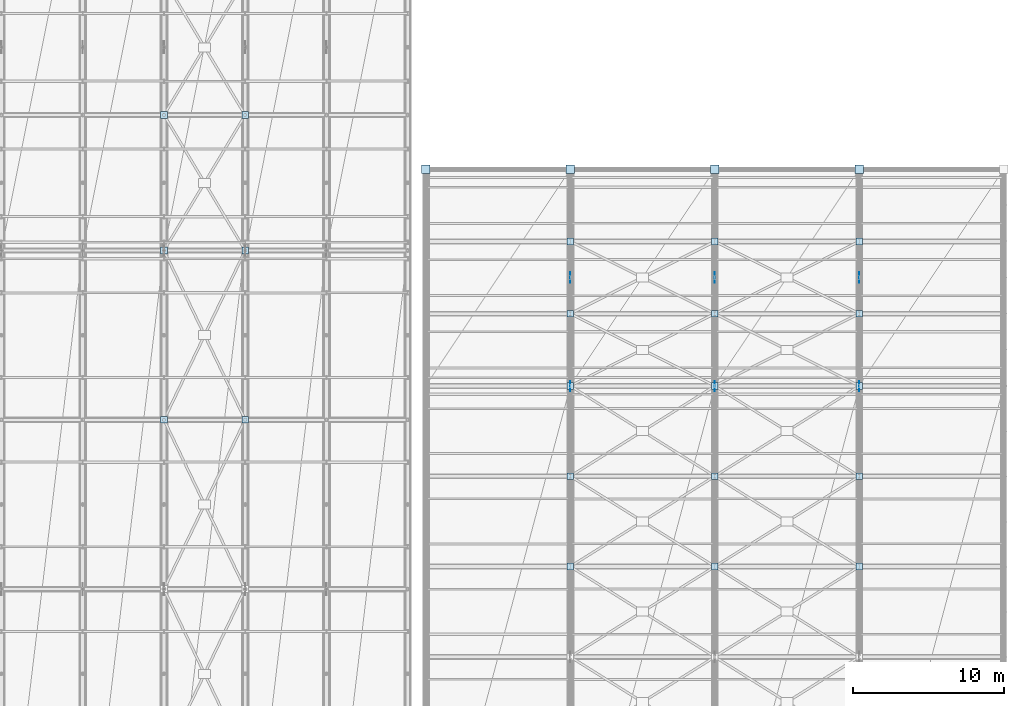
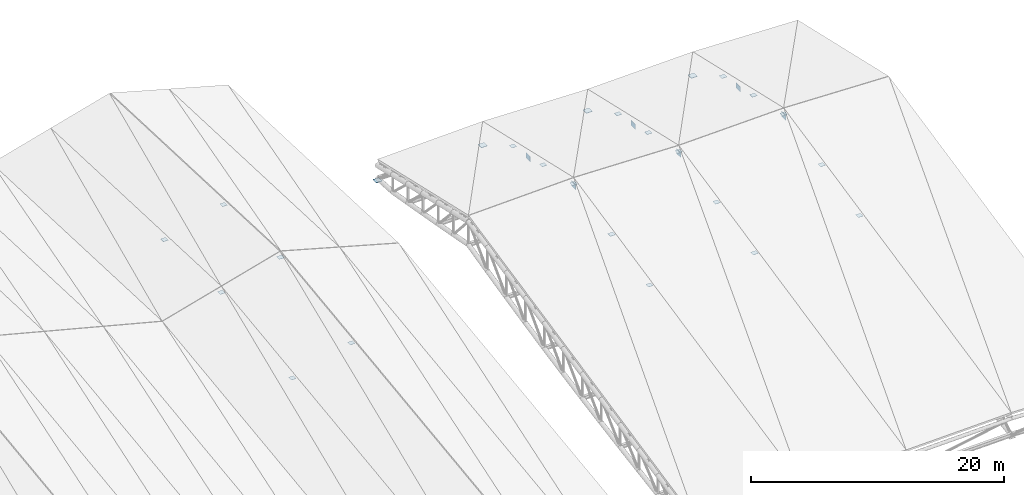
# One storey, part 107 of 109: 31 plates.
"""IFC4 building model written with IfcOpenShell, lengths in metres."""

from ifc_helpers import new_model, si_unit, direction, frame, origin, origin_2d, place, context, subcontext, project, spatial, rectangle, extrude, material, layer, layer_set, type_object, element, save


model = new_model("IFC4")

# Units and contexts
model_context = context("Model", 3, precision=1e-05, world=origin(), true_north=direction((0.0, 1.0)))
body_context = subcontext(model_context, "Body", "Model", "MODEL_VIEW")
ifc_project = project(units=[si_unit("LENGTHUNIT", "METRE"), si_unit("AREAUNIT", "SQUARE_METRE"), si_unit("VOLUMEUNIT", "CUBIC_METRE"), si_unit("PLANEANGLEUNIT", "RADIAN"), si_unit("MASSUNIT", "GRAM", prefix="KILO")], contexts=[model_context])

# Site, building, storey
site_placement = place(None, origin())
site = spatial("IfcSite", under=ifc_project, at=site_placement, CompositionType="ELEMENT")
building_placement = place(site_placement, origin())
building = spatial("IfcBuilding", under=site, at=building_placement, Name="Suirenkawa Promenade Aquatics Centre", CompositionType="ELEMENT")
storey_placement = place(building_placement, frame((0.0, 0.0, 22.800048828125)))
storey = spatial("IfcBuildingStorey", under=building, at=storey_placement, Name="ROOF", CompositionType="ELEMENT", Elevation=22.800048828125)

# Plates
ifc_material = material(Name="Steel IS 2062 E350 (Grade 350)", Category="steel")
ifc_layer_1 = layer(ifc_material, 0.028076171875, Name="Steel IS 2062 E350 (Grade 350)", Category="steel")
ifc_layer_set_1 = layer_set([ifc_layer_1], Name="Steel IS 2062 E350 (Grade 350)")
plate_type_1 = type_object("IfcPlateType", Name="PLT-BEAR-550x550x28", PredefinedType="SHEET", material=ifc_layer_set_1)
for number, where, z_axis, x_axis, name in (
    (1, (156.0, 100.800048828125, -6.2529296875), (0.0, 0.0, 1.0), (1.0, 0.0, 0.0), "Truss node plate TN-02 PLG-0132"),
    (2, (165.60009765625, 100.800048828125, -6.23291015625), (0.0, 0.0, 1.0), (1.0, 0.0, 0.0), "Truss node plate TN-02 PLG-0134"),
    (3, (175.199951171875, 100.800048828125, -6.2529296875), (0.0, 0.0, 1.0), (1.0, 0.0, 0.0), "Truss node plate TN-02 PLG-0139"),
    (4, (184.800048828125, 100.800048828125, -6.23291015625), (0.0, 0.0, 1.0), (1.0, 0.0, 0.0), "Truss node plate TN-02 PLG-0144"),
):
    element("IfcPlate", number, at=place(storey_placement, frame(where, z_axis=z_axis, x_axis=x_axis)), inside=storey, type_object=plate_type_1, Name=name, PredefinedType="SHEET", context=body_context, shape_type="SweptSolid", body=[
        extrude(rectangle(XDim=0.550048828125, YDim=0.550048828125, at=origin_2d()), origin(), (0.0, 0.0, 1.0), 0.028076171875),
    ])
ifc_layer_2 = layer(ifc_material, 0.01611328125, Name="Steel IS 2062 E350 (Grade 350)", Category="steel")
ifc_layer_set_2 = layer_set([ifc_layer_2], Name="Steel IS 2062 E350 (Grade 350)")
plate_type_2 = type_object("IfcPlateType", Name="PLT-GUSSET-600x450x16", PredefinedType="USERDEFINED", material=ifc_layer_set_2)
for number, where, z_axis, x_axis, name in (
    (5, (144.0, 84.14990234375, -7.658203125), (0.0, 0.0, 1.0), (1.0, 0.0, 0.0), "Truss node plate TN-06 PLG-0120"),
    (6, (138.60009765625, 84.14990234375, -9.158203125), (0.0, 0.0, 1.0), (1.0, 0.0, 0.0), "Truss node plate TN-06 PLG-0121"),
    (7, (144.0, 95.39990234375, -6.2080078125), (0.0, 0.0, 1.0), (1.0, 0.0, 0.0), "Truss node plate TN-06 PLG-0123"),
    (8, (138.60009765625, 95.39990234375, -7.7080078125), (0.0, 0.0, 1.0), (1.0, 0.0, 0.0), "Truss node plate TN-06 PLG-0124"),
    (9, (144.0, 104.39990234375, -6.5751953125), (0.0, 0.0, 1.0), (1.0, 0.0, 0.0), "Truss node plate TN-06 PLG-0126"),
    (10, (138.60009765625, 104.39990234375, -8.0751953125), (0.0, 0.0, 1.0), (1.0, 0.0, 0.0), "Truss node plate TN-06 PLG-0127"),
    (11, (175.199951171875, 74.39990234375, -3.97119140625), (0.0, 0.0, 1.0), (1.0, 0.0, 0.0), "Truss node plate TN-06 PLG-0159"),
    (12, (165.60009765625, 74.39990234375, -3.72119140625), (0.0, 0.0, 1.0), (1.0, 0.0, 0.0), "Truss node plate TN-06 PLG-0160"),
    (13, (175.199951171875, 80.39990234375, -2.705078125), (0.0, 0.0, 1.0), (1.0, 0.0, 0.0), "Truss node plate TN-06 PLG-0162"),
    (14, (165.60009765625, 80.39990234375, -2.455078125), (0.0, 0.0, 1.0), (1.0, 0.0, 0.0), "Truss node plate TN-06 PLG-0163"),
    (15, (175.199951171875, 86.39990234375, -1.43798828125), (0.0, 0.0, 1.0), (1.0, 0.0, 0.0), "Truss node plate TN-06 PLG-0165"),
    (16, (165.60009765625, 86.39990234375, -1.18798828125), (0.0, 0.0, 1.0), (1.0, 0.0, 0.0), "Truss node plate TN-06 PLG-0166"),
    (17, (175.199951171875, 91.199951171875, -2.5380859375), (0.0, 0.0, 1.0), (1.0, 0.0, 0.0), "Truss node plate TN-06 PLG-0168"),
    (18, (165.60009765625, 91.199951171875, -2.2880859375), (0.0, 0.0, 1.0), (1.0, 0.0, 0.0), "Truss node plate TN-06 PLG-0169"),
    (19, (175.199951171875, 96.0, -3.63818359375), (0.0, 0.0, 1.0), (1.0, 0.0, 0.0), "Truss node plate TN-06 PLG-0171"),
    (20, (165.60009765625, 96.0, -3.38818359375), (0.0, 0.0, 1.0), (1.0, 0.0, 0.0), "Truss node plate TN-06 PLG-0172"),
    (21, (184.800048828125, 74.39990234375, -3.72119140625), (0.0, 0.0, 1.0), (1.0, 0.0, 0.0), "Truss node plate TN-06 PLG-0179"),
    (22, (184.800048828125, 80.39990234375, -2.455078125), (0.0, 0.0, 1.0), (1.0, 0.0, 0.0), "Truss node plate TN-06 PLG-0181"),
    (23, (184.800048828125, 86.39990234375, -1.18798828125), (0.0, 0.0, 1.0), (1.0, 0.0, 0.0), "Truss node plate TN-06 PLG-0183"),
    (24, (184.800048828125, 91.199951171875, -2.2880859375), (0.0, 0.0, 1.0), (1.0, 0.0, 0.0), "Truss node plate TN-06 PLG-0185"),
    (25, (184.800048828125, 96.0, -3.38818359375), (0.0, 0.0, 1.0), (1.0, 0.0, 0.0), "Truss node plate TN-06 PLG-0187"),
):
    element("IfcPlate", number, at=place(storey_placement, frame(where, z_axis=z_axis, x_axis=x_axis)), inside=storey, type_object=plate_type_2, Name=name, ObjectType="GUSSET", PredefinedType="USERDEFINED", context=body_context, shape_type="SweptSolid", body=[
        extrude(rectangle(XDim=0.449951171875, YDim=0.449951171875, at=origin_2d()), origin(), (0.0, 0.0, 1.0), 0.01611328125),
    ])
ifc_layer_3 = layer(ifc_material, 0.02001953125, Name="Steel IS 2062 E350 (Grade 350)", Category="steel")
ifc_layer_set_3 = layer_set([ifc_layer_3], Name="Steel IS 2062 E350 (Grade 350)")
plate_type_3 = type_object("IfcPlateType", Name="PLT-GUSSET-700x500x20", PredefinedType="USERDEFINED", material=ifc_layer_set_3)
for number, where, z_axis, x_axis, name in (
    (26, (165.60009765625, 86.39990234375, -1.590087890625), (0.0, 0.0, 1.0), (0.0, 1.0, 0.0), "Truss node plate TN-05 PLG-0136"),
    (27, (165.60009765625, 93.60009765625, -3.239990234375), (0.0, 0.0, 1.0), (0.0, 1.0, 0.0), "Truss node plate TN-05 PLG-0137"),
    (28, (175.199951171875, 86.39990234375, -1.840087890625), (0.0, 0.0, 1.0), (0.0, 1.0, 0.0), "Truss node plate TN-05 PLG-0141"),
    (29, (175.199951171875, 93.60009765625, -3.489990234375), (0.0, 0.0, 1.0), (0.0, 1.0, 0.0), "Truss node plate TN-05 PLG-0142"),
    (30, (184.800048828125, 86.39990234375, -1.590087890625), (0.0, 0.0, 1.0), (0.0, 1.0, 0.0), "Truss node plate TN-05 PLG-0146"),
    (31, (184.800048828125, 93.60009765625, -3.239990234375), (0.0, 0.0, 1.0), (0.0, 1.0, 0.0), "Truss node plate TN-05 PLG-0147"),
):
    element("IfcPlate", number, at=place(storey_placement, frame(where, z_axis=z_axis, x_axis=x_axis)), inside=storey, type_object=plate_type_3, Name=name, ObjectType="GUSSET", PredefinedType="USERDEFINED", context=body_context, shape_type="SweptSolid", body=[
        extrude(rectangle(XDim=0.699951171875, YDim=0.02001953125, at=origin_2d()), origin(), (0.0, 0.0, 1.0), 0.5),
    ])

save(model, "model.ifc")
